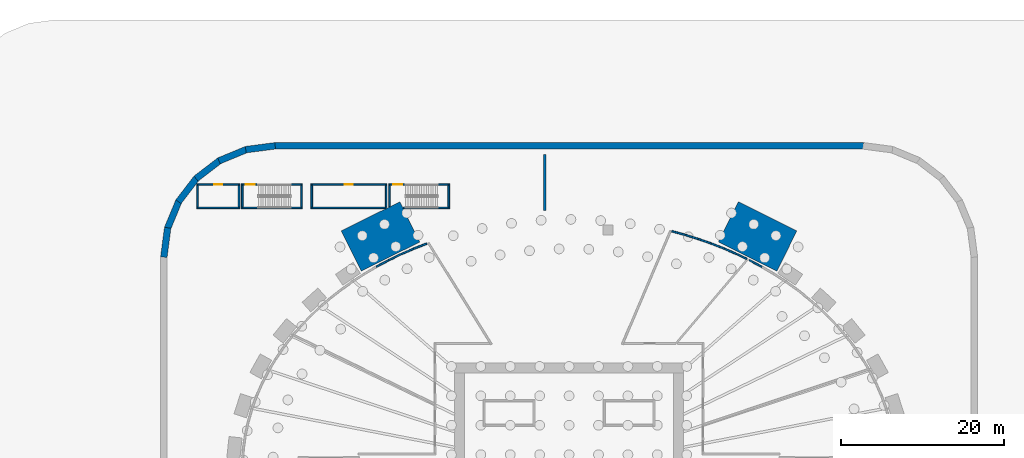
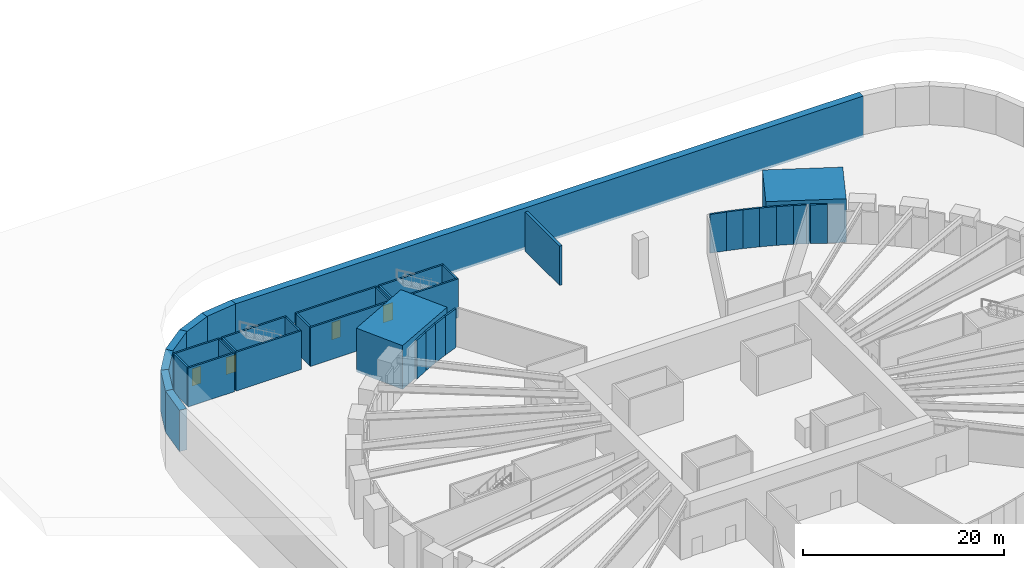
# One storey, part 7 of 14: 37 walls, 4 doors, 4 openings.
"""IFC4 building model written with IfcOpenShell, lengths in metres."""

from ifc_helpers import new_model, si_unit, direction, frame, frame_2d, origin, place, context, subcontext, project, spatial, rectangle, extrude, source, transform, mapped, material, layer, layer_set, type_object, element, fill, save


model = new_model("IFC4")

# Units and contexts
model_context = context("Model", 3, precision=1e-05, world=origin(), true_north=direction((0.0, 1.0)))
body_context = subcontext(model_context, "Body", "Model", "MODEL_VIEW")
ifc_project = project(units=[si_unit("LENGTHUNIT", "METRE"), si_unit("AREAUNIT", "SQUARE_METRE"), si_unit("VOLUMEUNIT", "CUBIC_METRE"), si_unit("PLANEANGLEUNIT", "RADIAN"), si_unit("MASSUNIT", "GRAM", prefix="KILO")], contexts=[model_context])

# Site, building, storey
site_placement = place(None, origin())
site = spatial("IfcSite", under=ifc_project, at=site_placement, CompositionType="ELEMENT")
building_placement = place(site_placement, origin())
building = spatial("IfcBuilding", under=site, at=building_placement, Name="Embergate Tower", CompositionType="ELEMENT")
storey_placement = place(building_placement, frame((0.0, 0.0, -10.0)))
storey = spatial("IfcBuildingStorey", under=building, at=storey_placement, Name="B2", CompositionType="ELEMENT", Elevation=-10.0)

# Walls
ifc_material_1 = material(Name="Concrete C40", Category="concrete")
ifc_layer_1 = layer(ifc_material_1, 0.800048828125)
ifc_layer_set_1 = layer_set([ifc_layer_1], Name="Concrete C40")
wall_type_1 = type_object("IfcWallType", Name="Basement retaining wall C40 800", PredefinedType="SOLIDWALL", material=ifc_layer_set_1)
shared_shape_1 = source(origin(), body_context, "Body", "SweptSolid", [
    extrude(rectangle(XDim=3.62890625, YDim=0.800048828125, at=frame_2d((1.814453125, 0.0))), origin(), (0.0, 0.0, 1.0), 5.0),
])
for number, where, z_axis, x_axis, name in (
    (1, (-35.97412109375, 39.60302734375, -0.300048828125), (0.0, 0.0, 1.0), (-0.991463681552, -0.130383159045, 0.0), "RWL-B2-007"),
    (2, (-49.1298828125, 29.572021484375, -0.300048828125), (0.0, 0.0, 1.0), (-0.130383159045, -0.991463681552, 0.0), "RWL-B2-012"),
):
    element("IfcWall", number, at=place(storey_placement, frame(where, z_axis=z_axis, x_axis=x_axis)), inside=storey, type_object=wall_type_1, Name=name, PredefinedType="SOLIDWALL", context=body_context, shape_type="MappedRepresentation", body=[
        mapped(shared_shape_1, transform((0.0, 0.0, 0.0))),
    ])
shared_shape_2 = source(origin(), body_context, "Body", "SweptSolid", [
    extrude(rectangle(XDim=3.65625, YDim=0.800048828125, at=frame_2d((1.828125, 0.0))), origin(), (0.0, 0.0, 1.0), 5.0),
])
for number, where, z_axis, x_axis, name in (
    (3, (-39.470947265625, 39.156982421875, -0.300048828125), (0.0, 0.0, 1.0), (-0.923914303601, -0.382599476739, 0.0), "RWL-B2-008"),
    (4, (-47.758056640625, 32.84912109375, -0.300048828125), (0.0, 0.0, 1.0), (-0.382599476739, -0.923914303601, 0.0), "RWL-B2-011"),
):
    element("IfcWall", number, at=place(storey_placement, frame(where, z_axis=z_axis, x_axis=x_axis)), inside=storey, type_object=wall_type_1, Name=name, PredefinedType="SOLIDWALL", context=body_context, shape_type="MappedRepresentation", body=[
        mapped(shared_shape_2, transform((0.0, 0.0, 0.0))),
    ])
shared_shape_3 = source(origin(), body_context, "Body", "SweptSolid", [
    extrude(rectangle(XDim=3.656005859375, YDim=0.800048828125, at=frame_2d((1.828125, 0.0))), origin(), (0.0, 0.0, 1.0), 5.0),
])
for number, where, z_axis, x_axis, name in (
    (5, (-42.758056640625, 37.81005859375, -0.300048828125), (0.0, 0.0, 1.0), (-0.793462314297, -0.608619384994, 0.0), "RWL-B2-009"),
    (6, (-45.5849609375, 35.658935546875, -0.300048828125), (0.0, 0.0, 1.0), (-0.608619384994, -0.793462314297, 0.0), "RWL-B2-010"),
):
    element("IfcWall", number, at=place(storey_placement, frame(where, z_axis=z_axis, x_axis=x_axis)), inside=storey, type_object=wall_type_1, Name=name, PredefinedType="SOLIDWALL", context=body_context, shape_type="MappedRepresentation", body=[
        mapped(shared_shape_3, transform((0.0, 0.0, 0.0))),
    ])
shared_shape_4 = source(origin(), body_context, "Body", "SweptSolid", [
    extrude(rectangle(XDim=72.0517578125, YDim=0.800048828125, at=frame_2d((36.02587890625, 0.0))), origin(), (0.0, 0.0, 1.0), 5.0),
])
wall_1_placement = place(storey_placement, frame((36.02587890625, 39.60009765625, -0.300048828125), z_axis=(0.0, 0.0, 1.0), x_axis=(-1.0, 0.0, 0.0)))
element("IfcWall", 7, at=wall_1_placement, inside=storey, type_object=wall_type_1, Name="RWL-B2-006", PredefinedType="SOLIDWALL", context=body_context, shape_type="MappedRepresentation", body=[
    mapped(shared_shape_4, transform((0.0, 0.0, 0.0))),
])
ifc_material_2 = material(Name="Concrete C70", Category="concrete")
ifc_layer_2 = layer(ifc_material_2, 5.5)
ifc_layer_set_2 = layer_set([ifc_layer_2], Name="Concrete C70")
wall_type_2 = type_object("IfcWallType", Name="Abutment pier wall RC 5500x8000", PredefinedType="SHEAR", material=ifc_layer_set_2)
shared_shape_5 = source(origin(), body_context, "Body", "SweptSolid", [
    extrude(rectangle(XDim=8.000732421875, YDim=5.5, at=frame_2d((4.00048828125, 0.0))), origin(), (0.0, 0.0, 1.0), 5.300048828125),
])
for number, where, z_axis, x_axis, name in (
    (8, (26.659912109375, 26.72998046875, -0.300048828125), (0.0, 0.0, 1.0), (-0.895668726524, 0.444721859511, 0.0), "PIER-B2-06"),
    (9, (-19.493896484375, 30.2880859375, -0.300048828125), (0.0, 0.0, 1.0), (-0.895668726524, -0.444721859511, 0.0), "PIER-B2-15"),
):
    element("IfcWall", number, at=place(storey_placement, frame(where, z_axis=z_axis, x_axis=x_axis)), inside=storey, type_object=wall_type_2, Name=name, PredefinedType="SHEAR", context=body_context, shape_type="MappedRepresentation", body=[
        mapped(shared_shape_5, transform((0.0, 0.0, 0.0))),
    ])
ifc_material_3 = material(Name="Blockwork, plastered", Category="masonry")
ifc_layer_3 = layer(ifc_material_3, 0.199951171875)
ifc_layer_set_3 = layer_set([ifc_layer_3], Name="Blockwork, plastered")
wall_type_3 = type_object("IfcWallType", Name="Fire partition wall 200 block", PredefinedType="PARTITIONING", material=ifc_layer_set_3)
shared_shape_6 = source(origin(), body_context, "Body", "SweptSolid", [
    extrude(rectangle(XDim=2.64990234375, YDim=0.199951171875, at=frame_2d((1.324951171875, 0.0))), origin(), (0.0, 0.0, 1.0), 4.699951171875),
])
for number, where, z_axis, x_axis, name in (
    (10, (-45.5, 32.10009765625, 0.0), (0.0, 0.0, 1.0), (0.0, 1.0, 0.0), "Partition 001"),
    (11, (-40.39990234375, 34.75, 0.0), (0.0, 0.0, 1.0), (0.0, -1.0, 0.0), "Partition 004"),
    (12, (-31.5, 32.10009765625, 0.0), (0.0, 0.0, 1.0), (0.0, 1.0, 0.0), "Partition 037"),
    (13, (-22.39990234375, 34.75, 0.0), (0.0, 0.0, 1.0), (0.0, -1.0, 0.0), "Partition 056"),
):
    element("IfcWall", number, at=place(storey_placement, frame(where, z_axis=z_axis, x_axis=x_axis)), inside=storey, type_object=wall_type_3, Name=name, PredefinedType="PARTITIONING", context=body_context, shape_type="MappedRepresentation", body=[
        mapped(shared_shape_6, transform((0.0, 0.0, 0.0))),
    ])
shared_shape_7 = source(origin(), body_context, "Body", "SweptSolid", [
    extrude(rectangle(XDim=5.300048828125, YDim=0.199951171875, at=frame_2d((2.64990234375, 0.0))), origin(), (0.0, 0.0, 1.0), 4.699951171875),
])
wall_2_placement = place(storey_placement, frame((-40.300048828125, 32.0, 0.0), z_axis=(0.0, 0.0, 1.0), x_axis=(-1.0, 0.0, 0.0)))
element("IfcWall", 14, at=wall_2_placement, inside=storey, type_object=wall_type_3, Name="Partition 002", PredefinedType="PARTITIONING", context=body_context, shape_type="MappedRepresentation", body=[
    mapped(shared_shape_7, transform((0.0, 0.0, 0.0))),
])

# Wall, opening, door
wall_3_placement = place(storey_placement, frame((-40.300048828125, 34.85009765625, 0.0), z_axis=(0.0, 0.0, 1.0), x_axis=(-1.0, 0.0, 0.0)))
wall_3 = element("IfcWall", 15, at=wall_3_placement, inside=storey, type_object=wall_type_3, Name="Partition 003", PredefinedType="PARTITIONING", context=body_context, shape_type="MappedRepresentation", body=[
    mapped(shared_shape_7, transform((0.0, 0.0, 0.0))),
])
shared_shape_8 = source(origin(), body_context, "Body", "SweptSolid", [
    extrude(rectangle(XDim=1.0, YDim=2.10009765625, at=frame_2d((0.5, 1.050048828125))), frame((0.0, 0.10986328125, 0.0), z_axis=(0.0, -1.0, 0.0), x_axis=(1.0, 0.0, 0.0)), (0.0, 0.0, 1.0), 0.219970703125),
])
opening_1_placement = place(wall_3_placement, frame((2.14990234375, 0.0, 0.0)))
opening_1 = element("IfcOpeningElement", 16, at=opening_1_placement, cuts=wall_3, Name="Opening DS-341", PredefinedType="OPENING", context=body_context, shape_type="MappedRepresentation", body=[
    mapped(shared_shape_8, transform((0.0, 0.0, 0.0))),
])
ifc_material_4 = material(Name="Timber door leaf, steel frame", Category="steel")
door_type_1 = type_object("IfcDoorType", Name="Single door 1000x2100", OperationType="SINGLE_SWING_LEFT", PredefinedType="DOOR", material=ifc_material_4)
shared_shape_9 = source(origin(), body_context, "Body", "SweptSolid", [
    extrude(rectangle(XDim=1.0, YDim=2.10009765625, at=frame_2d((0.5, 1.050048828125))), frame((0.0, 0.02490234375, 0.0), z_axis=(0.0, -1.0, 0.0), x_axis=(1.0, 0.0, 0.0)), (0.0, 0.0, 1.0), 0.050048828125),
])
door_1_placement = place(opening_1_placement, origin())
door_1 = element("IfcDoor", 17, at=door_1_placement, inside=storey, type_object=door_type_1, Name="Door to Electrical switch room", OperationType="SINGLE_SWING_LEFT", OverallHeight=2.10009765625, OverallWidth=1.0, PredefinedType="DOOR", context=body_context, shape_type="MappedRepresentation", body=[
    mapped(shared_shape_9, transform((0.0, 0.0, 0.0))),
])
fill(opening_1, door_1)

# Walls
ifc_layer_4 = layer(ifc_material_1, 0.199951171875)
ifc_layer_set_4 = layer_set([ifc_layer_4], Name="Concrete C40")
wall_type_4 = type_object("IfcWallType", Name="Stair enclosure wall RC 200", PredefinedType="STANDARD", material=ifc_layer_set_4)
shared_shape_10 = source(origin(), body_context, "Body", "SweptSolid", [
    extrude(rectangle(XDim=2.64990234375, YDim=0.199951171875, at=frame_2d((1.324951171875, 0.0))), origin(), (0.0, 0.0, 1.0), 4.699951171875),
])
for number, where, z_axis, x_axis, name in (
    (18, (-40.0, 32.10009765625, 0.0), (0.0, 0.0, 1.0), (0.0, 1.0, 0.0), "Stair wall 005"),
    (19, (-32.72998046875, 34.75, 0.0), (0.0, 0.0, 1.0), (0.0, -1.0, 0.0), "Stair wall 034"),
    (20, (-14.72998046875, 34.75, 0.0), (0.0, 0.0, 1.0), (0.0, -1.0, 0.0), "Stair wall 077"),
):
    element("IfcWall", number, at=place(storey_placement, frame(where, z_axis=z_axis, x_axis=x_axis)), inside=storey, type_object=wall_type_4, Name=name, PredefinedType="STANDARD", context=body_context, shape_type="MappedRepresentation", body=[
        mapped(shared_shape_10, transform((0.0, 0.0, 0.0))),
    ])
shared_shape_11 = source(origin(), body_context, "Body", "SweptSolid", [
    extrude(rectangle(XDim=7.47021484375, YDim=0.199951171875, at=frame_2d((3.735107421875, 0.0))), origin(), (0.0, 0.0, 1.0), 4.699951171875),
])
wall_4_placement = place(storey_placement, frame((-32.6298828125, 32.0, 0.0), z_axis=(0.0, 0.0, 1.0), x_axis=(-1.0, 0.0, 0.0)))
element("IfcWall", 21, at=wall_4_placement, inside=storey, type_object=wall_type_4, Name="Stair wall 032", PredefinedType="STANDARD", context=body_context, shape_type="MappedRepresentation", body=[
    mapped(shared_shape_11, transform((0.0, 0.0, 0.0))),
])

# Wall, opening, door
wall_5_placement = place(storey_placement, frame((-32.6298828125, 34.85009765625, 0.0), z_axis=(0.0, 0.0, 1.0), x_axis=(-1.0, 0.0, 0.0)))
wall_5 = element("IfcWall", 22, at=wall_5_placement, inside=storey, type_object=wall_type_4, Name="Stair wall 033", PredefinedType="STANDARD", context=body_context, shape_type="MappedRepresentation", body=[
    mapped(shared_shape_11, transform((0.0, 0.0, 0.0))),
])
shared_shape_12 = source(origin(), body_context, "Body", "SweptSolid", [
    extrude(rectangle(XDim=1.10009765625, YDim=2.10009765625, at=frame_2d((0.550048828125, 1.050048828125))), frame((0.0, 0.10986328125, 0.0), z_axis=(0.0, -1.0, 0.0), x_axis=(1.0, 0.0, 0.0)), (0.0, 0.0, 1.0), 0.219970703125),
])
opening_2_placement = place(wall_5_placement, frame((5.820068359375, 0.0, 0.0)))
opening_2 = element("IfcOpeningElement", 23, at=opening_2_placement, cuts=wall_5, Name="Opening DS-337", PredefinedType="OPENING", context=body_context, shape_type="MappedRepresentation", body=[
    mapped(shared_shape_12, transform((0.0, 0.0, 0.0))),
])
ifc_material_5 = material(Name="Steel fire door leaf", Category="steel")
door_type_2 = type_object("IfcDoorType", Name="Fire door class B 1100x2100", OperationType="SINGLE_SWING_LEFT", PredefinedType="DOOR", material=ifc_material_5)
shared_shape_13 = source(origin(), body_context, "Body", "SweptSolid", [
    extrude(rectangle(XDim=1.10009765625, YDim=2.10009765625, at=frame_2d((0.550048828125, 1.050048828125))), frame((0.0, 0.02490234375, 0.0), z_axis=(0.0, -1.0, 0.0), x_axis=(1.0, 0.0, 0.0)), (0.0, 0.0, 1.0), 0.050048828125),
])
door_2_placement = place(opening_2_placement, origin())
door_2 = element("IfcDoor", 24, at=door_2_placement, inside=storey, type_object=door_type_2, Name="Door to Exit stair enclosure", OperationType="SINGLE_SWING_LEFT", OverallHeight=2.10009765625, OverallWidth=1.10009765625, PredefinedType="DOOR", context=body_context, shape_type="MappedRepresentation", body=[
    mapped(shared_shape_13, transform((0.0, 0.0, 0.0))),
])
fill(opening_2, door_2)

wall_6_placement = place(storey_placement, frame((-14.6298828125, 34.85009765625, 0.0), z_axis=(0.0, 0.0, 1.0), x_axis=(-1.0, 0.0, 0.0)))
wall_6 = element("IfcWall", 25, at=wall_6_placement, inside=storey, type_object=wall_type_4, Name="Stair wall 076", PredefinedType="STANDARD", context=body_context, shape_type="MappedRepresentation", body=[
    mapped(shared_shape_11, transform((0.0, 0.0, 0.0))),
])
opening_3_placement = place(wall_6_placement, frame((5.820068359375, 0.0, 0.0)))
opening_3 = element("IfcOpeningElement", 26, at=opening_3_placement, cuts=wall_6, Name="Opening DS-336", PredefinedType="OPENING", context=body_context, shape_type="MappedRepresentation", body=[
    mapped(shared_shape_12, transform((0.0, 0.0, 0.0))),
])
door_3_placement = place(opening_3_placement, origin())
door_3 = element("IfcDoor", 27, at=door_3_placement, inside=storey, type_object=door_type_2, Name="Door to Exit stair enclosure", OperationType="SINGLE_SWING_LEFT", OverallHeight=2.10009765625, OverallWidth=1.10009765625, PredefinedType="DOOR", context=body_context, shape_type="MappedRepresentation", body=[
    mapped(shared_shape_13, transform((0.0, 0.0, 0.0))),
])
fill(opening_3, door_3)

shared_shape_14 = source(origin(), body_context, "Body", "SweptSolid", [
    extrude(rectangle(XDim=9.300048828125, YDim=0.199951171875, at=frame_2d((4.64990234375, 0.0))), origin(), (0.0, 0.0, 1.0), 4.699951171875),
])
wall_7_placement = place(storey_placement, frame((-22.300048828125, 34.85009765625, 0.0), z_axis=(0.0, 0.0, 1.0), x_axis=(-1.0, 0.0, 0.0)))
wall_7 = element("IfcWall", 28, at=wall_7_placement, inside=storey, type_object=wall_type_3, Name="Partition 055", PredefinedType="PARTITIONING", context=body_context, shape_type="MappedRepresentation", body=[
    mapped(shared_shape_14, transform((0.0, 0.0, 0.0))),
])
opening_4_placement = place(wall_7_placement, frame((4.14990234375, 0.0, 0.0)))
opening_4 = element("IfcOpeningElement", 29, at=opening_4_placement, cuts=wall_7, Name="Opening DS-340", PredefinedType="OPENING", context=body_context, shape_type="MappedRepresentation", body=[
    mapped(shared_shape_8, transform((0.0, 0.0, 0.0))),
])
door_4_placement = place(opening_4_placement, origin())
door_4 = element("IfcDoor", 30, at=door_4_placement, inside=storey, type_object=door_type_1, Name="Door to Sprinkler tank room", OperationType="SINGLE_SWING_LEFT", OverallHeight=2.10009765625, OverallWidth=1.0, PredefinedType="DOOR", context=body_context, shape_type="MappedRepresentation", body=[
    mapped(shared_shape_9, transform((0.0, 0.0, 0.0))),
])
fill(opening_4, door_4)

# Walls
shared_shape_15 = source(origin(), body_context, "Body", "SweptSolid", [
    extrude(rectangle(XDim=1.7109375, YDim=0.199951171875, at=frame_2d((0.85546875, 0.0))), origin(), (0.0, 0.0, 1.0), 4.699951171875),
])
for number, where, z_axis, x_axis, name in (
    (31, (-23.5849609375, 24.79296875, 0.0), (0.0, 0.0, 1.0), (0.882028817925, 0.471195462998, 0.0), "Partition 053"),
    (32, (22.075927734375, 25.59912109375, 0.0), (0.0, 0.0, 1.0), (0.882028817925, -0.471195462998, 0.0), "Partition 126"),
):
    element("IfcWall", number, at=place(storey_placement, frame(where, z_axis=z_axis, x_axis=x_axis)), inside=storey, type_object=wall_type_3, Name=name, PredefinedType="PARTITIONING", context=body_context, shape_type="MappedRepresentation", body=[
        mapped(shared_shape_15, transform((0.0, 0.0, 0.0))),
    ])
shared_shape_16 = source(origin(), body_context, "Body", "SweptSolid", [
    extrude(rectangle(XDim=9.210205078125, YDim=0.199951171875, at=frame_2d((4.60498046875, 0.0))), origin(), (0.0, 0.0, 1.0), 4.699951171875),
])
wall_8_placement = place(storey_placement, frame((-22.389892578125, 32.0, 0.0), z_axis=(0.0, 0.0, 1.0), x_axis=(-1.0, 0.0, 0.0)))
element("IfcWall", 33, at=wall_8_placement, inside=storey, type_object=wall_type_3, Name="Partition 054", PredefinedType="PARTITIONING", context=body_context, shape_type="MappedRepresentation", body=[
    mapped(shared_shape_16, transform((0.0, 0.0, 0.0))),
])
shared_shape_17 = source(origin(), body_context, "Body", "SweptSolid", [
    extrude(rectangle(XDim=1.67724609375, YDim=0.199951171875, at=frame_2d((0.838623046875, 0.0))), origin(), (0.0, 0.0, 1.0), 4.699951171875),
])
wall_9_placement = place(storey_placement, frame((-22.075927734375, 25.59912109375, 0.0), z_axis=(0.0, 0.0, 1.0), x_axis=(0.900315681162, 0.435237491783, 0.0)))
element("IfcWall", 34, at=wall_9_placement, inside=storey, type_object=wall_type_3, Name="Partition 058", PredefinedType="PARTITIONING", context=body_context, shape_type="MappedRepresentation", body=[
    mapped(shared_shape_17, transform((0.0, 0.0, 0.0))),
])
shared_shape_18 = source(origin(), body_context, "Body", "SweptSolid", [
    extrude(rectangle(XDim=2.60009765625, YDim=0.199951171875, at=frame_2d((1.300048828125, 0.0))), origin(), (0.0, 0.0, 1.0), 4.699951171875),
])
wall_10_placement = place(storey_placement, frame((-22.0, 32.14990234375, 0.0), z_axis=(0.0, 0.0, 1.0), x_axis=(0.0, 1.0, 0.0)))
element("IfcWall", 35, at=wall_10_placement, inside=storey, type_object=wall_type_4, Name="Stair wall 059", PredefinedType="STANDARD", context=body_context, shape_type="MappedRepresentation", body=[
    mapped(shared_shape_18, transform((0.0, 0.0, 0.0))),
])
shared_shape_19 = source(origin(), body_context, "Body", "SweptSolid", [
    extrude(rectangle(XDim=1.693115234375, YDim=0.199951171875, at=frame_2d((0.8466796875, 0.0))), origin(), (0.0, 0.0, 1.0), 4.699951171875),
])
for number, where, z_axis, x_axis, name in (
    (36, (-20.56591796875, 26.3291015625, 0.0), (0.0, 0.0, 1.0), (0.91607458021, 0.401007934451, 0.0), "Partition 061"),
    (37, (19.014892578125, 27.008056640625, 0.0), (0.0, 0.0, 1.0), (0.91607458021, -0.401007934451, 0.0), "Partition 121"),
):
    element("IfcWall", number, at=place(storey_placement, frame(where, z_axis=z_axis, x_axis=x_axis)), inside=storey, type_object=wall_type_3, Name=name, PredefinedType="PARTITIONING", context=body_context, shape_type="MappedRepresentation", body=[
        mapped(shared_shape_19, transform((0.0, 0.0, 0.0))),
    ])
shared_shape_20 = source(origin(), body_context, "Body", "SweptSolid", [
    extrude(rectangle(XDim=1.70703125, YDim=0.199951171875, at=frame_2d((0.853515625, 0.0))), origin(), (0.0, 0.0, 1.0), 4.699951171875),
])
for number, where, z_axis, x_axis, name in (
    (38, (-19.014892578125, 27.008056640625, 0.0), (0.0, 0.0, 1.0), (0.930786256978, 0.365563871056, 0.0), "Partition 063"),
    (39, (17.426025390625, 27.632080078125, 0.0), (0.0, 0.0, 1.0), (0.930786256978, -0.365563871056, 0.0), "Partition 119"),
):
    element("IfcWall", number, at=place(storey_placement, frame(where, z_axis=z_axis, x_axis=x_axis)), inside=storey, type_object=wall_type_3, Name=name, PredefinedType="PARTITIONING", context=body_context, shape_type="MappedRepresentation", body=[
        mapped(shared_shape_20, transform((0.0, 0.0, 0.0))),
    ])
shared_shape_21 = source(origin(), body_context, "Body", "SweptSolid", [
    extrude(rectangle(XDim=1.681884765625, YDim=0.199951171875, at=frame_2d((0.8408203125, 0.0))), origin(), (0.0, 0.0, 1.0), 4.699951171875),
])
wall_11_placement = place(storey_placement, frame((15.839111328125, 28.18896484375, 0.0), z_axis=(0.0, 0.0, 1.0), x_axis=(0.94358645522, -0.331126262209, 0.0)))
element("IfcWall", 40, at=wall_11_placement, inside=storey, type_object=wall_type_3, Name="Partition 108", PredefinedType="PARTITIONING", context=body_context, shape_type="MappedRepresentation", body=[
    mapped(shared_shape_21, transform((0.0, 0.0, 0.0))),
])
shared_shape_22 = source(origin(), body_context, "Body", "SweptSolid", [
    extrude(rectangle(XDim=5.68017578125, YDim=0.199951171875, at=frame_2d((2.840087890625, 0.0))), origin(), (0.0, 0.0, 1.0), 4.699951171875),
])
wall_12_placement = place(storey_placement, frame((-14.6298828125, 32.0, 0.0), z_axis=(0.0, 0.0, 1.0), x_axis=(-1.0, 0.0, 0.0)))
element("IfcWall", 41, at=wall_12_placement, inside=storey, type_object=wall_type_4, Name="Stair wall 075", PredefinedType="STANDARD", context=body_context, shape_type="MappedRepresentation", body=[
    mapped(shared_shape_22, transform((0.0, 0.0, 0.0))),
])
shared_shape_23 = source(origin(), body_context, "Body", "SweptSolid", [
    extrude(rectangle(XDim=1.69384765625, YDim=0.199951171875, at=frame_2d((0.846923828125, 0.0))), origin(), (0.0, 0.0, 1.0), 4.699951171875),
])
wall_13_placement = place(storey_placement, frame((14.221923828125, 28.693115234375, 0.0), z_axis=(0.0, 0.0, 1.0), x_axis=(0.954684912591, -0.297618409496, 0.0)))
element("IfcWall", 42, at=wall_13_placement, inside=storey, type_object=wall_type_3, Name="Partition 103", PredefinedType="PARTITIONING", context=body_context, shape_type="MappedRepresentation", body=[
    mapped(shared_shape_23, transform((0.0, 0.0, 0.0))),
])
shared_shape_24 = source(origin(), body_context, "Body", "SweptSolid", [
    extrude(rectangle(XDim=1.704345703125, YDim=0.199951171875, at=frame_2d((0.85205078125, 0.0))), origin(), (0.0, 0.0, 1.0), 4.699951171875),
])
wall_14_placement = place(storey_placement, frame((12.577880859375, 29.14208984375, 0.0), z_axis=(0.0, 0.0, 1.0), x_axis=(0.964674507272, -0.263444671647, 0.0)))
element("IfcWall", 43, at=wall_14_placement, inside=storey, type_object=wall_type_3, Name="Partition 099", PredefinedType="PARTITIONING", context=body_context, shape_type="MappedRepresentation", body=[
    mapped(shared_shape_24, transform((0.0, 0.0, 0.0))),
])
shared_shape_25 = source(origin(), body_context, "Body", "SweptSolid", [
    extrude(rectangle(XDim=1.307373046875, YDim=0.199951171875, at=frame_2d((0.65380859375, 0.0))), origin(), (0.0, 0.0, 1.0), 4.699951171875),
])
wall_15_placement = place(storey_placement, frame((20.56591796875, 26.3291015625, 0.0), z_axis=(0.0, 0.0, 1.0), x_axis=(0.900286752134, -0.435297328194, 0.0)))
element("IfcWall", 44, at=wall_15_placement, inside=storey, type_object=wall_type_3, Name="Partition 123", PredefinedType="PARTITIONING", context=body_context, shape_type="MappedRepresentation", body=[
    mapped(shared_shape_25, transform((0.0, 0.0, 0.0))),
])
ifc_layer_5 = layer(ifc_material_1, 0.300048828125)
ifc_layer_set_5 = layer_set([ifc_layer_5], Name="Concrete C40")
wall_type_5 = type_object("IfcWallType", Name="Ramp foot wall C40 300", PredefinedType="SOLIDWALL", material=ifc_layer_set_5)
shared_shape_26 = source(origin(), body_context, "Body", "SweptSolid", [
    extrude(rectangle(XDim=6.840087890625, YDim=0.300048828125, at=frame_2d((3.419921875, 0.0))), origin(), (0.0, 0.0, 1.0), 4.762939453125),
])
wall_16_placement = place(storey_placement, frame((-3.0, 31.679931640625, 0.0), z_axis=(0.0, 0.0, 1.0), x_axis=(0.0, 1.0, 0.0)))
element("IfcWall", 45, at=wall_16_placement, inside=storey, type_object=wall_type_5, Name="Ramp foot wall", PredefinedType="SOLIDWALL", context=body_context, shape_type="MappedRepresentation", body=[
    mapped(shared_shape_26, transform((0.0, 0.0, 0.0))),
])

save(model, "model.ifc")
